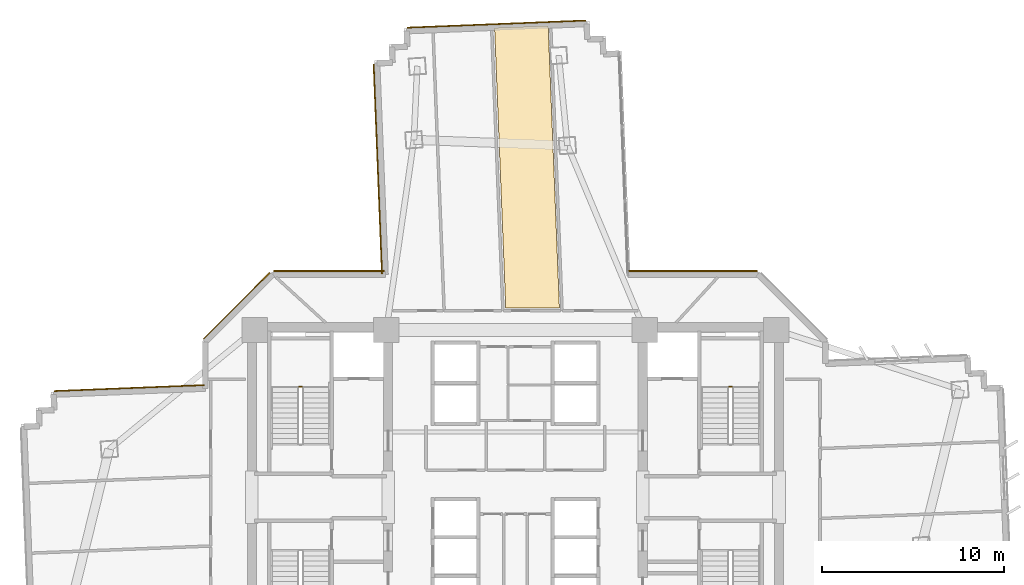
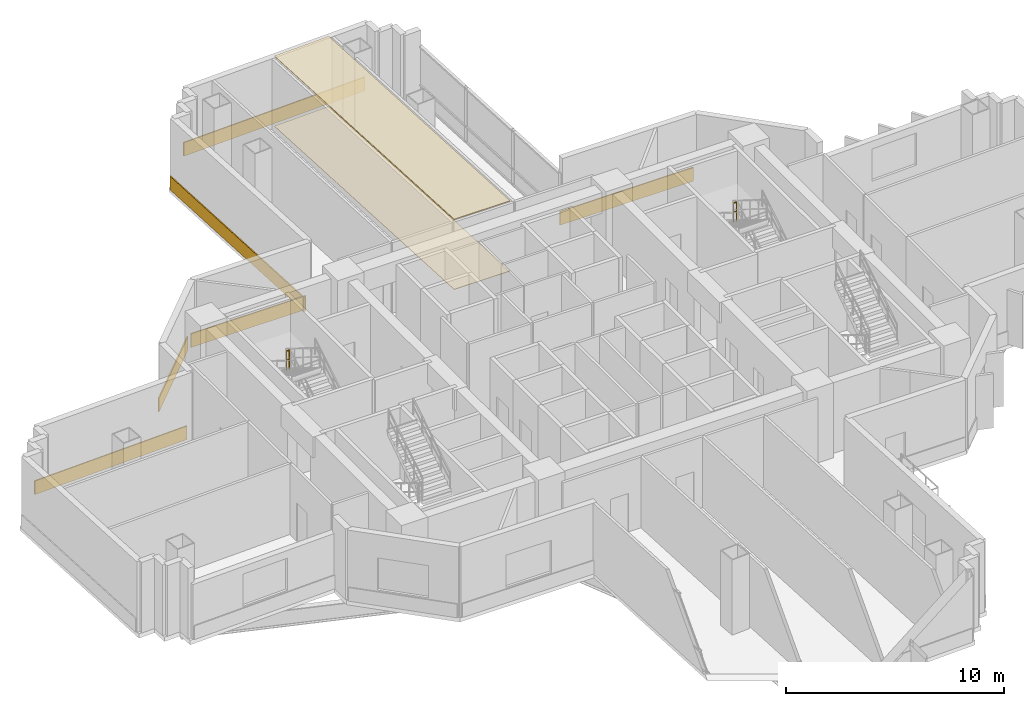
# One storey, part 15 of 16: 8 coverings, 2 railings.
"""IFC4 building model written with IfcOpenShell, lengths in metres."""

from ifc_helpers import new_model, si_unit, direction, frame, origin, origin_2d, place, context, subcontext, project, spatial, polyline, rectangle, outline, extrude, source, transform, mapped, material, layer, layer_set, type_object, element, save


model = new_model("IFC4")

# Units and contexts
model_context = context("Model", 3, precision=1e-05, world=origin(), true_north=direction((0.0, 1.0)))
body_context = subcontext(model_context, "Body", "Model", "MODEL_VIEW")
ifc_project = project(units=[si_unit("LENGTHUNIT", "METRE"), si_unit("AREAUNIT", "SQUARE_METRE"), si_unit("VOLUMEUNIT", "CUBIC_METRE"), si_unit("PLANEANGLEUNIT", "RADIAN"), si_unit("MASSUNIT", "GRAM", prefix="KILO")], contexts=[model_context])

# Site, building, storey
site_placement = place(None, origin())
site = spatial("IfcSite", under=ifc_project, at=site_placement, CompositionType="ELEMENT")
building_placement = place(site_placement, origin())
building = spatial("IfcBuilding", under=site, at=building_placement, Name="Zahravan Cultural Tower", CompositionType="ELEMENT")
storey_placement = place(building_placement, frame((0.0, 0.0, 62.699951171875)))
storey = spatial("IfcBuildingStorey", under=building, at=storey_placement, Name="L13", CompositionType="ELEMENT", Elevation=62.699951171875)

# Coverings
ifc_material_1 = material(Name="Acoustic mineral fibreboard")
ifc_layer_1 = layer(ifc_material_1, 0.0400390625)
ifc_layer_set_1 = layer_set([ifc_layer_1], Name="Acoustic mineral fibreboard")
covering_type_1 = type_object("IfcCoveringType", Name="COV-CEIL-AC20", PredefinedType="CEILING", material=ifc_layer_set_1)
covering_1_placement = place(storey_placement, frame((0.0, 0.0, 3.91015625)))
element("IfcCovering", 1, at=covering_1_placement, inside=storey, type_object=covering_type_1, Name="L13 Acoustic Suspended Ceiling", PredefinedType="CEILING", context=body_context, shape_type="SweptSolid", body=[
    extrude(outline(polyline([(34.85205078125, 52.814697265625), (35.4658203125, 37.39990234375), (38.418212890625, 37.39990234375), (37.7998046875, 52.93212890625), (34.85205078125, 52.814697265625)])), origin(), (0.0, 0.0, 1.0), 0.039794921875),
])
ifc_material_2 = material(Name="Terrazzo flooring")
ifc_layer_2 = layer(ifc_material_2, 0.02490234375)
ifc_layer_set_2 = layer_set([ifc_layer_2], Name="Terrazzo flooring")
covering_type_2 = type_object("IfcCoveringType", Name="COV-FLR-TZ25", PredefinedType="FLOORING", material=ifc_layer_set_2)
covering_2_placement = place(storey_placement, origin())
element("IfcCovering", 2, at=covering_2_placement, inside=storey, type_object=covering_type_2, Name="L13 Polished Terrazzo Flooring", PredefinedType="FLOORING", context=body_context, shape_type="SweptSolid", body=[
    extrude(outline(polyline([(34.85205078125, 52.814697265625), (35.4658203125, 37.39990234375), (38.418212890625, 37.39990234375), (37.7998046875, 52.93212890625), (34.85205078125, 52.814697265625)])), origin(), (0.0, 0.0, 1.0), 0.025146484375),
])

# Railings
ifc_material_3 = material(Name="Steel ASTM A572 Grade 50", Category="steel")
railing_type = type_object("IfcRailingType", Name="RL-STAIR-GRD1150", PredefinedType="BALUSTRADE", material=ifc_material_3)
for number, where, name in (
    (3, (24.25, 33.080078125, 2.10009765625), "L13 ST-W1 stair guard 2"),
    (4, (47.89990234375, 33.080078125, 2.10009765625), "L13 ST-E1 stair guard 2"),
):
    element("IfcRailing", number, at=place(storey_placement, frame(where)), inside=storey, type_object=railing_type, Name=name, PredefinedType="BALUSTRADE", context=body_context, shape_type="SweptSolid", body=[
        extrude(rectangle(XDim=0.05, YDim=0.05, at=origin_2d()), frame((0.0, 0.0, 1.0751953125), z_axis=(-1.0, 0.0, 0.0), x_axis=(0.0, -1.0, 0.0)), (0.0, 0.0, 1.0), 0.14990234375),
        extrude(rectangle(XDim=0.032, YDim=0.032, at=origin_2d()), frame((0.0, 0.0, 0.572021484375), z_axis=(-1.0, 0.0, 0.0), x_axis=(0.0, -1.0, 0.0)), (0.0, 0.0, 1.0), 0.14990234375),
        extrude(rectangle(XDim=0.04, YDim=0.04, at=origin_2d()), origin(), (0.0, 0.0, 1.0), 1.10009765625),
        extrude(rectangle(XDim=0.04, YDim=0.04, at=origin_2d()), frame((-0.14990234375, 0.0, 0.0)), (0.0, 0.0, 1.0), 1.10009765625),
    ])

# Coverings
ifc_material_4 = material(Name="Terracotta ceramic cladding", Category="masonry")
ifc_layer_3 = layer(ifc_material_4, 0.06005859375)
ifc_layer_set_3 = layer_set([ifc_layer_3], Name="Terracotta ceramic cladding")
covering_type_3 = type_object("IfcCoveringType", Name="COV-CLAD-TC60", PredefinedType="CLADDING", material=ifc_layer_set_3)
shared_shape_1 = source(origin(), body_context, "Body", "SweptSolid", [
    extrude(rectangle(XDim=9.820068359375, YDim=0.06005859375, at=origin_2d()), origin(), (0.0, 0.0, 1.0), 0.760009765625),
])
covering_3_placement = place(storey_placement, frame((34.9638671875, 53.0244140625, 0.02001953125), z_axis=(0.0, 0.0, 1.0), x_axis=(0.999208342878, 0.039783005453, 0.0)))
element("IfcCovering", 5, at=covering_3_placement, inside=storey, type_object=covering_type_3, Name="L13 Terracotta Spandrel Cladding 47", PredefinedType="CLADDING", context=body_context, shape_type="MappedRepresentation", body=[
    mapped(shared_shape_1, transform((0.0, 0.0, 0.0), x_axis=(1.0, 0.0, 0.0), y_axis=(0.0, 1.0, 0.0), z_axis=(0.0, 0.0, 1.0), scale=1.0)),
])
shared_shape_2 = source(origin(), body_context, "Body", "SweptSolid", [
    extrude(rectangle(XDim=5.157958984375, YDim=0.06005859375, at=origin_2d()), origin(), (0.0, 0.0, 1.0), 0.760009765625),
])
covering_4_placement = place(storey_placement, frame((20.668212890625, 37.53173828125, 0.02001953125), z_axis=(0.0, 0.0, 1.0), x_axis=(0.707106781187, 0.707106781187, 0.0)))
element("IfcCovering", 6, at=covering_4_placement, inside=storey, type_object=covering_type_3, Name="L13 Terracotta Spandrel Cladding 40", PredefinedType="CLADDING", context=body_context, shape_type="MappedRepresentation", body=[
    mapped(shared_shape_2, transform((0.0, 0.0, 0.0), x_axis=(1.0, 0.0, 0.0), y_axis=(0.0, 1.0, 0.0), z_axis=(0.0, 0.0, 1.0), scale=1.0)),
])
shared_shape_3 = source(origin(), body_context, "Body", "SweptSolid", [
    extrude(rectangle(XDim=8.251708984375, YDim=0.06005859375, at=origin_2d()), origin(), (0.0, 0.0, 1.0), 0.760009765625),
])
covering_5_placement = place(storey_placement, frame((14.760009765625, 33.0048828125, 0.02001953125), z_axis=(0.0, 0.0, 1.0), x_axis=(0.999208342878, 0.039783005453, 0.0)))
element("IfcCovering", 7, at=covering_5_placement, inside=storey, type_object=covering_type_3, Name="L13 Terracotta Spandrel Cladding 38", PredefinedType="CLADDING", context=body_context, shape_type="MappedRepresentation", body=[
    mapped(shared_shape_3, transform((0.0, 0.0, 0.0), x_axis=(1.0, 0.0, 0.0), y_axis=(0.0, 1.0, 0.0), z_axis=(0.0, 0.0, 1.0), scale=1.0)),
])
shared_shape_4 = source(origin(), body_context, "Body", "SweptSolid", [
    extrude(rectangle(XDim=6.088623046875, YDim=0.06005859375, at=origin_2d()), origin(), (0.0, 0.0, 1.0), 0.760009765625),
])
covering_6_placement = place(storey_placement, frame((25.752197265625, 39.445068359375, 0.02001953125), z_axis=(0.0, 0.0, 1.0), x_axis=(1.0, 0.0, 0.0)))
element("IfcCovering", 8, at=covering_6_placement, inside=storey, type_object=covering_type_3, Name="L13 Terracotta Spandrel Cladding 41", PredefinedType="CLADDING", context=body_context, shape_type="MappedRepresentation", body=[
    mapped(shared_shape_4, transform((0.0, 0.0, 0.0), x_axis=(1.0, 0.0, 0.0), y_axis=(0.0, 1.0, 0.0), z_axis=(0.0, 0.0, 1.0), scale=1.0)),
])
shared_shape_5 = source(origin(), body_context, "Body", "SweptSolid", [
    extrude(rectangle(XDim=11.525146484375, YDim=0.06005859375, at=origin_2d()), origin(), (0.0, 0.0, 1.0), 0.760009765625),
])
covering_7_placement = place(storey_placement, frame((28.4306640625, 45.060546875, 0.02001953125), z_axis=(0.0, 0.0, 1.0), x_axis=(-0.039783005453, 0.999208342878, 0.0)))
element("IfcCovering", 9, at=covering_7_placement, inside=storey, type_object=covering_type_3, Name="L13 Terracotta Spandrel Cladding 42", PredefinedType="CLADDING", context=body_context, shape_type="MappedRepresentation", body=[
    mapped(shared_shape_5, transform((0.0, 0.0, 0.0), x_axis=(1.0, 0.0, 0.0), y_axis=(0.0, 1.0, 0.0), z_axis=(0.0, 0.0, 1.0), scale=1.0)),
])
shared_shape_6 = source(origin(), body_context, "Body", "SweptSolid", [
    extrude(rectangle(XDim=7.064697265625, YDim=0.06005859375, at=origin_2d()), origin(), (0.0, 0.0, 1.0), 0.760009765625),
])
covering_8_placement = place(storey_placement, frame((45.759521484375, 39.445068359375, 0.02001953125), z_axis=(0.0, 0.0, 1.0), x_axis=(1.0, 0.0, 0.0)))
element("IfcCovering", 10, at=covering_8_placement, inside=storey, type_object=covering_type_3, Name="L13 Terracotta Spandrel Cladding 52", PredefinedType="CLADDING", context=body_context, shape_type="MappedRepresentation", body=[
    mapped(shared_shape_6, transform((0.0, 0.0, 0.0), x_axis=(1.0, 0.0, 0.0), y_axis=(0.0, 1.0, 0.0), z_axis=(0.0, 0.0, 1.0), scale=1.0)),
])

save(model, "model.ifc")
